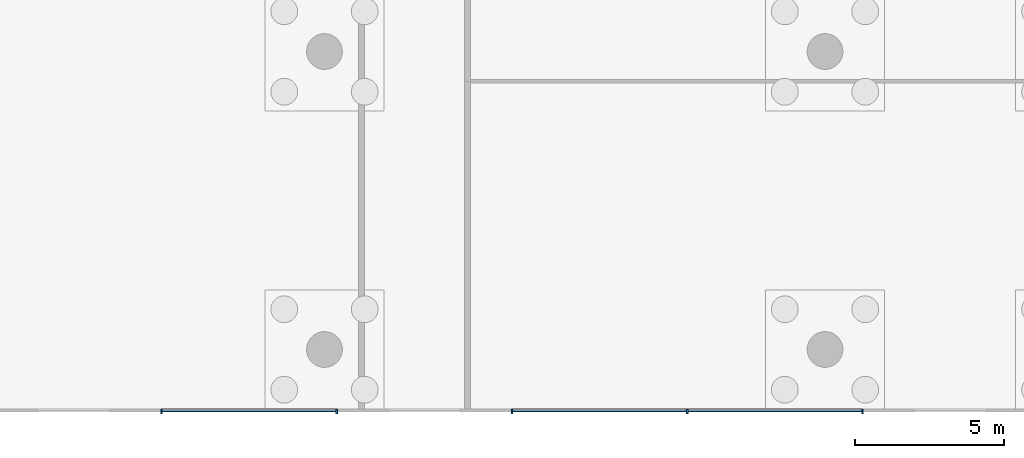
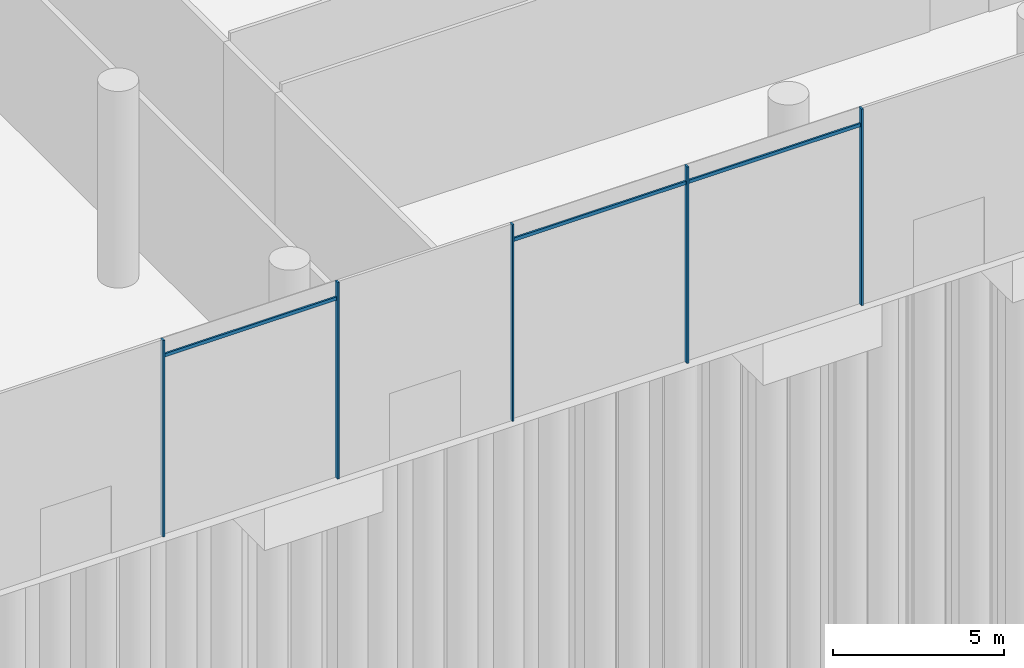
# One storey, part 7 of 41: 8 members, 1 element without a shape of its own.
"""IFC4 building model written with IfcOpenShell, lengths in metres."""

from ifc_helpers import new_model, si_unit, direction, frame, origin, origin_2d, place, context, subcontext, project, spatial, rectangle, extrude, material, material_profile, profile_set, type_object, element, aggregate, save


model = new_model("IFC4")

# Units and contexts
model_context = context("Model", 3, precision=1e-05, world=origin(), true_north=direction((0.0, 1.0)))
body_context = subcontext(model_context, "Body", "Model", "MODEL_VIEW")
ifc_project = project(units=[si_unit("LENGTHUNIT", "METRE"), si_unit("AREAUNIT", "SQUARE_METRE"), si_unit("VOLUMEUNIT", "CUBIC_METRE"), si_unit("PLANEANGLEUNIT", "RADIAN"), si_unit("MASSUNIT", "GRAM", prefix="KILO")], contexts=[model_context])

# Site, building, storey
site_placement = place(None, origin())
site = spatial("IfcSite", under=ifc_project, at=site_placement, CompositionType="ELEMENT")
building_placement = place(site_placement, origin())
building = spatial("IfcBuilding", under=site, at=building_placement, Name="Rimbun Link Towers", CompositionType="ELEMENT")
storey_placement = place(building_placement, origin())
storey = spatial("IfcBuildingStorey", under=building, at=storey_placement, Name="L00", CompositionType="ELEMENT", Elevation=0.0)

# Curtain wall, members
ifc_material_1 = material(Name="Aluminium 6063-T6 and low-iron glass", Category="aluminium")
curtain_wall_type = type_object("IfcCurtainWallType", Name="CW3 podium shopfront", PredefinedType="NOTDEFINED", material=ifc_material_1)
curtain_wall_placement = place(storey_placement, origin())
curtain_wall = element("IfcCurtainWall", 1, at=curtain_wall_placement, inside=storey, type_object=curtain_wall_type, Name="CW3 L00 PD", PredefinedType="NOTDEFINED")
ifc_material_2 = material(Name="Aluminium 6063-T6", Category="aluminium")
ifc_material_profile_1 = material_profile(ifc_material_2, rectangle(XDim=0.14990234375, YDim=0.06005859375, at=origin_2d()), Name="MULLION 60X150")
ifc_profile_set_1 = profile_set([ifc_material_profile_1], Name="Aluminium 6063-T6")
member_type_1 = type_object("IfcMemberType", Name="CW3 mullion 60X150", PredefinedType="MULLION", material=ifc_profile_set_1)
member_1_placement = place(storey_placement, frame((-26.470703125, -48.074951171875, 0.0), z_axis=(0.0, 0.0, 1.0), x_axis=(0.0, -1.0, 0.0)))
member_1 = element("IfcMember", 2, at=member_1_placement, type_object=member_type_1, Name="CW3 mullion", PredefinedType="MULLION", context=body_context, shape_type="SweptSolid", body=[
    extrude(rectangle(XDim=0.14990234375, YDim=0.06005859375, at=origin_2d()), origin(), (0.0, 0.0, 1.0), 7.0),
])
member_2_placement = place(storey_placement, frame((-20.588134765625, -48.074951171875, 0.0), z_axis=(0.0, 0.0, 1.0), x_axis=(0.0, -1.0, 0.0)))
member_2 = element("IfcMember", 3, at=member_2_placement, type_object=member_type_1, Name="CW3 mullion", PredefinedType="MULLION", context=body_context, shape_type="SweptSolid", body=[
    extrude(rectangle(XDim=0.14990234375, YDim=0.06005859375, at=origin_2d()), origin(), (0.0, 0.0, 1.0), 7.0),
])
member_3_placement = place(storey_placement, frame((-14.705810546875, -48.074951171875, 0.0), z_axis=(0.0, 0.0, 1.0), x_axis=(0.0, -1.0, 0.0)))
member_3 = element("IfcMember", 4, at=member_3_placement, type_object=member_type_1, Name="CW3 mullion", PredefinedType="MULLION", context=body_context, shape_type="SweptSolid", body=[
    extrude(rectangle(XDim=0.14990234375, YDim=0.06005859375, at=origin_2d()), origin(), (0.0, 0.0, 1.0), 7.0),
])
member_4_placement = place(storey_placement, frame((-8.823486328125, -48.074951171875, 0.0), z_axis=(0.0, 0.0, 1.0), x_axis=(0.0, -1.0, 0.0)))
member_4 = element("IfcMember", 5, at=member_4_placement, type_object=member_type_1, Name="CW3 mullion", PredefinedType="MULLION", context=body_context, shape_type="SweptSolid", body=[
    extrude(rectangle(XDim=0.14990234375, YDim=0.06005859375, at=origin_2d()), origin(), (0.0, 0.0, 1.0), 7.0),
])
member_5_placement = place(storey_placement, frame((-2.941162109375, -48.074951171875, 0.0), z_axis=(0.0, 0.0, 1.0), x_axis=(0.0, -1.0, 0.0)))
member_5 = element("IfcMember", 6, at=member_5_placement, type_object=member_type_1, Name="CW3 mullion", PredefinedType="MULLION", context=body_context, shape_type="SweptSolid", body=[
    extrude(rectangle(XDim=0.14990234375, YDim=0.06005859375, at=origin_2d()), origin(), (0.0, 0.0, 1.0), 7.0),
])
ifc_material_3 = material(Name="Aluminium 6063-T6", Category="aluminium")
ifc_material_profile_2 = material_profile(ifc_material_3, rectangle(XDim=0.06005859375, YDim=0.1201171875, at=origin_2d()), Name="TRANSOM 60X120")
ifc_profile_set_2 = profile_set([ifc_material_profile_2], Name="Aluminium 6063-T6")
member_type_2 = type_object("IfcMemberType", Name="CW3 transom 60X120", PredefinedType="USERDEFINED", material=ifc_profile_set_2)
member_6_placement = place(storey_placement, frame((-20.6181640625, -48.053955078125, 6.39990234375), z_axis=(-1.0, 0.0, 0.0), x_axis=(0.0, -1.0, 0.0)))
member_6 = element("IfcMember", 7, at=member_6_placement, type_object=member_type_2, Name="CW3 transom", ObjectType="TRANSOM", PredefinedType="USERDEFINED", context=body_context, shape_type="SweptSolid", body=[
    extrude(rectangle(XDim=0.06005859375, YDim=0.1201171875, at=origin_2d()), origin(), (0.0, 0.0, 1.0), 5.822509765625),
])
member_7_placement = place(storey_placement, frame((-8.853515625, -48.053955078125, 6.39990234375), z_axis=(-1.0, 0.0, 0.0), x_axis=(0.0, -1.0, 0.0)))
member_7 = element("IfcMember", 8, at=member_7_placement, type_object=member_type_2, Name="CW3 transom", ObjectType="TRANSOM", PredefinedType="USERDEFINED", context=body_context, shape_type="SweptSolid", body=[
    extrude(rectangle(XDim=0.06005859375, YDim=0.1201171875, at=origin_2d()), origin(), (0.0, 0.0, 1.0), 5.822265625),
])
member_8_placement = place(storey_placement, frame((-2.97119140625, -48.053955078125, 6.39990234375), z_axis=(-1.0, 0.0, 0.0), x_axis=(0.0, -1.0, 0.0)))
member_8 = element("IfcMember", 9, at=member_8_placement, type_object=member_type_2, Name="CW3 transom", ObjectType="TRANSOM", PredefinedType="USERDEFINED", context=body_context, shape_type="SweptSolid", body=[
    extrude(rectangle(XDim=0.06005859375, YDim=0.1201171875, at=origin_2d()), origin(), (0.0, 0.0, 1.0), 5.822265625),
])
aggregate(curtain_wall, [member_1, member_2, member_3, member_4, member_5, member_6, member_7, member_8])

save(model, "model.ifc")
